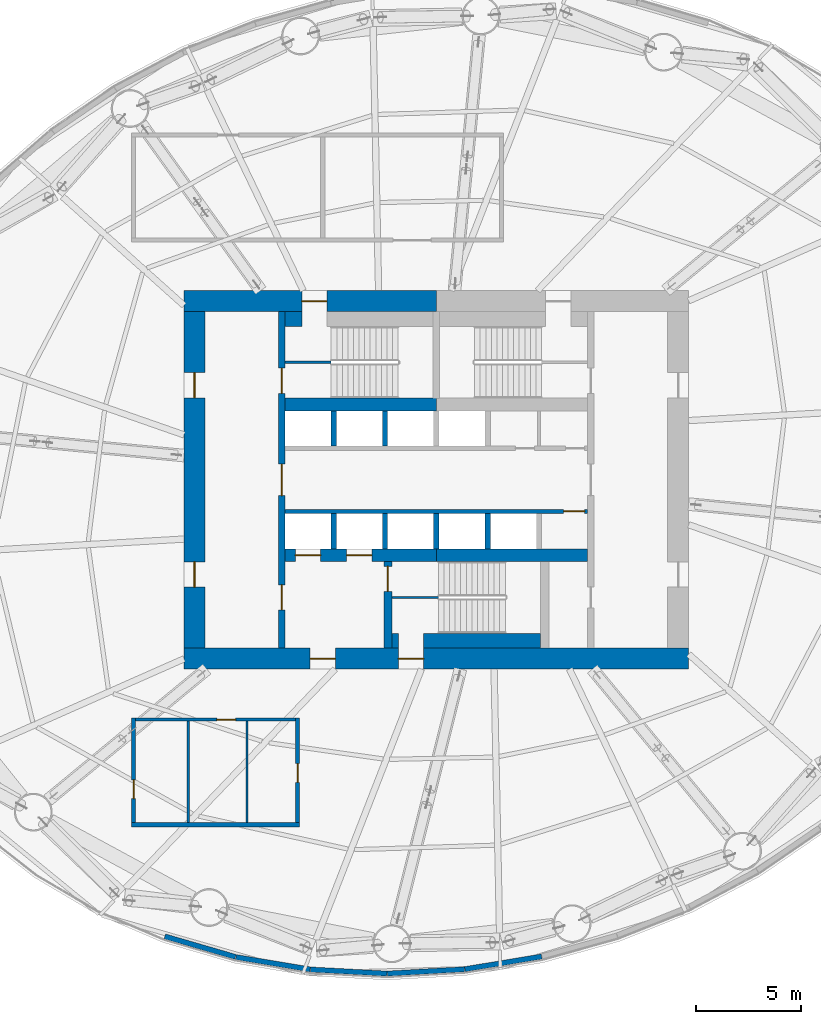
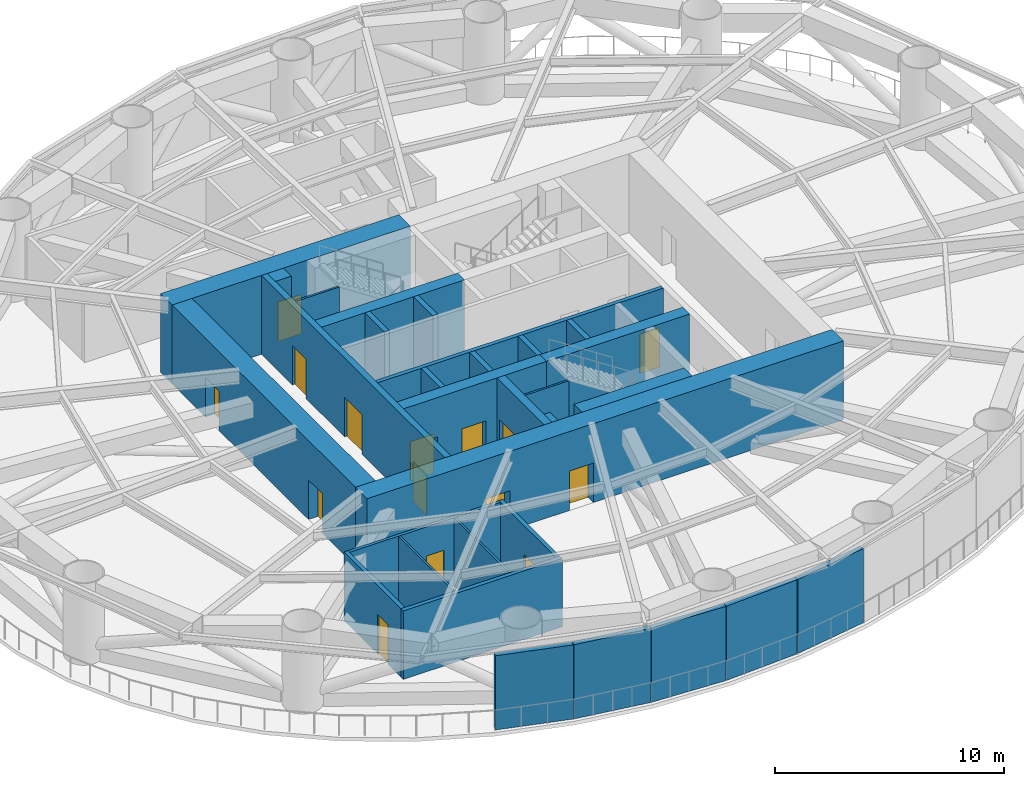
# One storey, part 5 of 15: 31 walls, 15 doors, 15 openings.
"""IFC4 building model written with IfcOpenShell, lengths in metres."""

from ifc_helpers import new_model, si_unit, direction, frame, frame_2d, origin, place, context, subcontext, project, spatial, rectangle, extrude, material, layer, layer_set, type_object, element, fill, save


model = new_model("IFC4")

# Units and contexts
model_context = context("Model", 3, precision=1e-05, world=origin(), true_north=direction((0.0, 1.0)))
body_context = subcontext(model_context, "Body", "Model", "MODEL_VIEW")
ifc_project = project(units=[si_unit("LENGTHUNIT", "METRE"), si_unit("AREAUNIT", "SQUARE_METRE"), si_unit("VOLUMEUNIT", "CUBIC_METRE"), si_unit("PLANEANGLEUNIT", "RADIAN"), si_unit("MASSUNIT", "GRAM", prefix="KILO")], contexts=[model_context])

# Site, building, storey
site_placement = place(None, origin())
site = spatial("IfcSite", under=ifc_project, at=site_placement, CompositionType="ELEMENT")
building_placement = place(site_placement, origin())
building = spatial("IfcBuilding", under=site, at=building_placement, Name="Vermilion Reach Broadcast Tower", CompositionType="ELEMENT")
storey_placement = place(building_placement, frame((0.0, 0.0, 84.10009765625)))
storey = spatial("IfcBuildingStorey", under=building, at=storey_placement, Name="L18", CompositionType="ELEMENT", Elevation=84.10009765625)

# Wall, openings, doors
ifc_material_1 = material(Name="Concrete C70", Category="concrete")
ifc_layer_1 = layer(ifc_material_1, 0.300048828125)
ifc_layer_set_1 = layer_set([ifc_layer_1], Name="Core inner wall 300 mm Concrete C70")
wall_type_1 = type_object("IfcWallType", Name="Core inner wall 300 mm Concrete C70", PredefinedType="SHEAR", material=ifc_layer_set_1)
wall_1_placement = place(storey_placement, frame((-13.35009765625, 8.0, 0.0), z_axis=(0.0, 0.0, 1.0), x_axis=(0.0, -1.0, 0.0)))
wall_1 = element("IfcWall", 1, at=wall_1_placement, inside=storey, type_object=wall_type_1, Name="L18 core wall ewW", PredefinedType="SHEAR", context=body_context, shape_type="SweptSolid", body=[
    extrude(rectangle(XDim=16.0, YDim=0.300048828125, at=frame_2d((8.0, 0.0))), origin(), (0.0, 0.0, 1.0), 4.199951171875),
])
opening_1_placement = place(wall_1_placement, frame((2.68994140625, 0.0, 0.0)))
opening_1 = element("IfcOpeningElement", 2, at=opening_1_placement, cuts=wall_1, Name="Opening D01", PredefinedType="OPENING", context=body_context, shape_type="SweptSolid", body=[
    extrude(rectangle(XDim=1.199951171875, YDim=2.10009765625, at=frame_2d((0.60009765625, 1.050048828125))), frame((0.0, 0.159912109375, 0.0), z_axis=(0.0, -1.0, 0.0), x_axis=(1.0, 0.0, 0.0)), (0.0, 0.0, 1.0), 0.320068359375),
])
opening_2_placement = place(wall_1_placement, frame((12.989990234375, 0.0, 0.0)))
opening_2 = element("IfcOpeningElement", 3, at=opening_2_placement, cuts=wall_1, Name="Opening D02", PredefinedType="OPENING", context=body_context, shape_type="SweptSolid", body=[
    extrude(rectangle(XDim=1.199951171875, YDim=2.10009765625, at=frame_2d((0.60009765625, 1.050048828125))), frame((0.0, 0.159912109375, 0.0), z_axis=(0.0, -1.0, 0.0), x_axis=(1.0, 0.0, 0.0)), (0.0, 0.0, 1.0), 0.320068359375),
])
opening_3_placement = place(wall_1_placement, frame((7.25, 0.0, 0.0)))
opening_3 = element("IfcOpeningElement", 4, at=opening_3_placement, cuts=wall_1, Name="Opening D04", PredefinedType="OPENING", context=body_context, shape_type="SweptSolid", body=[
    extrude(rectangle(XDim=1.5, YDim=2.10009765625, at=frame_2d((0.75, 1.050048828125))), frame((0.0, 0.159912109375, 0.0), z_axis=(0.0, -1.0, 0.0), x_axis=(1.0, 0.0, 0.0)), (0.0, 0.0, 1.0), 0.320068359375),
])
ifc_material_2 = material(Name="Painted steel fire door", Category="steel")
door_type_1 = type_object("IfcDoorType", Name="Firefighting lobby door 1200 x 2100", OperationType="DOUBLE_DOOR_SINGLE_SWING", PredefinedType="NOTDEFINED", material=ifc_material_2)
door_1_placement = place(opening_2_placement, origin())
door_1 = element("IfcDoor", 5, at=door_1_placement, inside=storey, type_object=door_type_1, Name="L18 ffdoor door FFW", OperationType="DOUBLE_DOOR_SINGLE_SWING", OverallHeight=2.10009765625, OverallWidth=1.199951171875, PredefinedType="NOTDEFINED", context=body_context, shape_type="SweptSolid", body=[
    extrude(rectangle(XDim=1.199951171875, YDim=2.10009765625, at=frame_2d((0.60009765625, 1.050048828125))), frame((0.0, 0.02490234375, 0.0), z_axis=(0.0, -1.0, 0.0), x_axis=(1.0, 0.0, 0.0)), (0.0, 0.0, 1.0), 0.050048828125),
])
fill(opening_2, door_1)
ifc_material_3 = material(Name="Painted steel fire door", Category="steel")
door_type_2 = type_object("IfcDoorType", Name="Lift lobby door 1500 x 2100", OperationType="DOUBLE_DOOR_SINGLE_SWING", PredefinedType="NOTDEFINED", material=ifc_material_3)
door_2_placement = place(opening_3_placement, origin())
door_2 = element("IfcDoor", 6, at=door_2_placement, inside=storey, type_object=door_type_2, Name="L18 band door BW", OperationType="DOUBLE_DOOR_SINGLE_SWING", OverallHeight=2.10009765625, OverallWidth=1.5, PredefinedType="NOTDEFINED", context=body_context, shape_type="SweptSolid", body=[
    extrude(rectangle(XDim=1.5, YDim=2.10009765625, at=frame_2d((0.75, 1.050048828125))), frame((0.0, 0.02490234375, 0.0), z_axis=(0.0, -1.0, 0.0), x_axis=(1.0, 0.0, 0.0)), (0.0, 0.0, 1.0), 0.050048828125),
])
fill(opening_3, door_2)
ifc_material_4 = material(Name="Painted steel fire door", Category="steel")
door_type_3 = type_object("IfcDoorType", Name="Stair door 1200 x 2100", OperationType="DOUBLE_DOOR_SINGLE_SWING", PredefinedType="NOTDEFINED", material=ifc_material_4)
door_3_placement = place(opening_1_placement, origin())
door_3 = element("IfcDoor", 7, at=door_3_placement, inside=storey, type_object=door_type_3, Name="L18 stair door ST1 departure", OperationType="DOUBLE_DOOR_SINGLE_SWING", OverallHeight=2.10009765625, OverallWidth=1.199951171875, PredefinedType="NOTDEFINED", context=body_context, shape_type="SweptSolid", body=[
    extrude(rectangle(XDim=1.199951171875, YDim=2.10009765625, at=frame_2d((0.60009765625, 1.050048828125))), frame((0.0, 0.02490234375, 0.0), z_axis=(0.0, -1.0, 0.0), x_axis=(1.0, 0.0, 0.0)), (0.0, 0.0, 1.0), 0.050048828125),
])
fill(opening_1, door_3)

# Wall, opening, door
ifc_material_5 = material(Name="Concrete C70", Category="concrete")
ifc_layer_2 = layer(ifc_material_5, 0.39990234375)
ifc_layer_set_2 = layer_set([ifc_layer_2], Name="Core inner wall 400 mm Concrete C70")
wall_type_2 = type_object("IfcWallType", Name="Core inner wall 400 mm Concrete C70", PredefinedType="SHEAR", material=ifc_layer_set_2)
wall_2_placement = place(storey_placement, frame((-8.300048828125, -3.8798828125, 0.0), z_axis=(0.0, 0.0, 1.0), x_axis=(0.0, -1.0, 0.0)))
wall_2 = element("IfcWall", 8, at=wall_2_placement, inside=storey, type_object=wall_type_2, Name="L18 core wall wa", PredefinedType="SHEAR", context=body_context, shape_type="SweptSolid", body=[
    extrude(rectangle(XDim=4.1201171875, YDim=0.39990234375, at=frame_2d((2.06005859375, 0.0))), origin(), (0.0, 0.0, 1.0), 4.199951171875),
])
opening_4_placement = place(wall_2_placement, frame((0.22998046875, 0.0, 0.0)))
opening_4 = element("IfcOpeningElement", 9, at=opening_4_placement, cuts=wall_2, Name="Opening D01", PredefinedType="OPENING", context=body_context, shape_type="SweptSolid", body=[
    extrude(rectangle(XDim=1.199951171875, YDim=2.10009765625, at=frame_2d((0.60009765625, 1.050048828125))), frame((0.0, 0.2099609375, 0.0), z_axis=(0.0, -1.0, 0.0), x_axis=(1.0, 0.0, 0.0)), (0.0, 0.0, 1.0), 0.419921875),
])
door_4_placement = place(opening_4_placement, origin())
door_4 = element("IfcDoor", 10, at=door_4_placement, inside=storey, type_object=door_type_3, Name="L18 stair door ST3 arrival", OperationType="DOUBLE_DOOR_SINGLE_SWING", OverallHeight=2.10009765625, OverallWidth=1.199951171875, PredefinedType="NOTDEFINED", context=body_context, shape_type="SweptSolid", body=[
    extrude(rectangle(XDim=1.199951171875, YDim=2.10009765625, at=frame_2d((0.60009765625, 1.050048828125))), frame((0.0, 0.02490234375, 0.0), z_axis=(0.0, -1.0, 0.0), x_axis=(1.0, 0.0, 0.0)), (0.0, 0.0, 1.0), 0.050048828125),
])
fill(opening_4, door_4)

# Wall
ifc_material_6 = material(Name="Concrete C70", Category="concrete")
ifc_layer_3 = layer(ifc_material_6, 0.60009765625)
ifc_layer_set_3 = layer_set([ifc_layer_3], Name="Core inner wall 600 mm Concrete C70")
wall_type_3 = type_object("IfcWallType", Name="Core inner wall 600 mm Concrete C70", PredefinedType="SHEAR", material=ifc_layer_set_3)
wall_3_placement = place(storey_placement, frame((-13.199951171875, 3.580078125, 0.0), z_axis=(0.0, 0.0, 1.0), x_axis=(1.0, 0.0, 0.0)))
element("IfcWall", 11, at=wall_3_placement, inside=storey, type_object=wall_type_3, Name="L18 core wall winW", PredefinedType="SHEAR", context=body_context, shape_type="SweptSolid", body=[
    extrude(rectangle(XDim=7.199951171875, YDim=0.60009765625, at=frame_2d((3.60009765625, 0.0))), origin(), (0.0, 0.0, 1.0), 4.199951171875),
])

# Wall, openings, doors
wall_4_placement = place(storey_placement, frame((-13.199951171875, -3.580078125, 0.0), z_axis=(0.0, 0.0, 1.0), x_axis=(1.0, 0.0, 0.0)))
wall_4 = element("IfcWall", 12, at=wall_4_placement, inside=storey, type_object=wall_type_3, Name="L18 core wall wisW", PredefinedType="SHEAR", context=body_context, shape_type="SweptSolid", body=[
    extrude(rectangle(XDim=7.199951171875, YDim=0.60009765625, at=frame_2d((3.60009765625, 0.0))), origin(), (0.0, 0.0, 1.0), 4.199951171875),
])
opening_5_placement = place(wall_4_placement, frame((0.495849609375, 0.0, 0.0)))
opening_5 = element("IfcOpeningElement", 13, at=opening_5_placement, cuts=wall_4, Name="Opening D08", PredefinedType="OPENING", context=body_context, shape_type="SweptSolid", body=[
    extrude(rectangle(XDim=1.199951171875, YDim=2.10009765625, at=frame_2d((0.60009765625, 1.050048828125))), frame((0.0, 0.31005859375, 0.0), z_axis=(0.0, -1.0, 0.0), x_axis=(1.0, 0.0, 0.0)), (0.0, 0.0, 1.0), 0.6201171875),
])
opening_6_placement = place(wall_4_placement, frame((2.9375, 0.0, 0.0)))
opening_6 = element("IfcOpeningElement", 14, at=opening_6_placement, cuts=wall_4, Name="Opening D08", PredefinedType="OPENING", context=body_context, shape_type="SweptSolid", body=[
    extrude(rectangle(XDim=1.199951171875, YDim=2.10009765625, at=frame_2d((0.60009765625, 1.050048828125))), frame((0.0, 0.31005859375, 0.0), z_axis=(0.0, -1.0, 0.0), x_axis=(1.0, 0.0, 0.0)), (0.0, 0.0, 1.0), 0.6201171875),
])
ifc_material_7 = material(Name="Stainless steel", Category="steel")
door_type_4 = type_object("IfcDoorType", Name="Firefighting lift landing door, locked in normal use 1200 x 2100", OperationType="DOUBLE_DOOR_SLIDING", PredefinedType="NOTDEFINED", material=ifc_material_7)
door_5_placement = place(opening_5_placement, origin())
door_5 = element("IfcDoor", 15, at=door_5_placement, inside=storey, type_object=door_type_4, Name="L18 firefighting lift landing door FF1 (locked in normal use)", OperationType="DOUBLE_DOOR_SLIDING", OverallHeight=2.10009765625, OverallWidth=1.199951171875, PredefinedType="NOTDEFINED", context=body_context, shape_type="SweptSolid", body=[
    extrude(rectangle(XDim=1.199951171875, YDim=2.10009765625, at=frame_2d((0.60009765625, 1.050048828125))), frame((0.0, 0.02490234375, 0.0), z_axis=(0.0, -1.0, 0.0), x_axis=(1.0, 0.0, 0.0)), (0.0, 0.0, 1.0), 0.050048828125),
])
fill(opening_5, door_5)
door_6_placement = place(opening_6_placement, origin())
door_6 = element("IfcDoor", 16, at=door_6_placement, inside=storey, type_object=door_type_4, Name="L18 firefighting lift landing door FF2 (locked in normal use)", OperationType="DOUBLE_DOOR_SLIDING", OverallHeight=2.10009765625, OverallWidth=1.199951171875, PredefinedType="NOTDEFINED", context=body_context, shape_type="SweptSolid", body=[
    extrude(rectangle(XDim=1.199951171875, YDim=2.10009765625, at=frame_2d((0.60009765625, 1.050048828125))), frame((0.0, 0.02490234375, 0.0), z_axis=(0.0, -1.0, 0.0), x_axis=(1.0, 0.0, 0.0)), (0.0, 0.0, 1.0), 0.050048828125),
])
fill(opening_6, door_6)

# Wall
wall_5_placement = place(storey_placement, frame((-6.0, -3.580078125, 0.0), z_axis=(0.0, 0.0, 1.0), x_axis=(1.0, 0.0, 0.0)))
element("IfcWall", 17, at=wall_5_placement, inside=storey, type_object=wall_type_3, Name="L18 core wall wisE", PredefinedType="SHEAR", context=body_context, shape_type="SweptSolid", body=[
    extrude(rectangle(XDim=7.199951171875, YDim=0.60009765625, at=frame_2d((3.60009765625, 0.0))), origin(), (0.0, 0.0, 1.0), 4.199951171875),
])

# Wall, opening, door
ifc_material_8 = material(Name="Concrete C70", Category="concrete")
ifc_layer_4 = layer(ifc_material_8, 1.0)
ifc_layer_set_4 = layer_set([ifc_layer_4], Name="Core outer wall 1000 mm Concrete C70")
wall_type_4 = type_object("IfcWallType", Name="Core outer wall 1000 mm Concrete C70", PredefinedType="SHEAR", material=ifc_layer_set_4)
wall_6_placement = place(storey_placement, frame((-6.0, 8.5, 0.0), z_axis=(0.0, 0.0, 1.0), x_axis=(-1.0, 0.0, 0.0)))
wall_6 = element("IfcWall", 18, at=wall_6_placement, inside=storey, type_object=wall_type_4, Name="L18 core wall onW", PredefinedType="SHEAR", context=body_context, shape_type="SweptSolid", body=[
    extrude(rectangle(XDim=12.0, YDim=1.0, at=frame_2d((6.0, 0.0))), origin(), (0.0, 0.0, 1.0), 4.199951171875),
])
opening_7_placement = place(wall_6_placement, frame((5.199951171875, 0.0, 0.0)))
opening_7 = element("IfcOpeningElement", 19, at=opening_7_placement, cuts=wall_6, Name="Opening D01", PredefinedType="OPENING", context=body_context, shape_type="SweptSolid", body=[
    extrude(rectangle(XDim=1.199951171875, YDim=2.10009765625, at=frame_2d((0.60009765625, 1.050048828125))), frame((0.0, 0.510009765625, 0.0), z_axis=(0.0, -1.0, 0.0), x_axis=(1.0, 0.0, 0.0)), (0.0, 0.0, 1.0), 1.02001953125),
])
door_7_placement = place(opening_7_placement, origin())
door_7 = element("IfcDoor", 20, at=door_7_placement, inside=storey, type_object=door_type_3, Name="L18 stair door ST1 arrival", OperationType="DOUBLE_DOOR_SINGLE_SWING", OverallHeight=2.10009765625, OverallWidth=1.199951171875, PredefinedType="NOTDEFINED", context=body_context, shape_type="SweptSolid", body=[
    extrude(rectangle(XDim=1.199951171875, YDim=2.10009765625, at=frame_2d((0.60009765625, 1.050048828125))), frame((0.0, 0.02490234375, 0.0), z_axis=(0.0, -1.0, 0.0), x_axis=(1.0, 0.0, 0.0)), (0.0, 0.0, 1.0), 0.050048828125),
])
fill(opening_7, door_7)

# Wall, openings, doors
wall_7_placement = place(storey_placement, frame((-18.0, -8.5, 0.0), z_axis=(0.0, 0.0, 1.0), x_axis=(1.0, 0.0, 0.0)))
wall_7 = element("IfcWall", 21, at=wall_7_placement, inside=storey, type_object=wall_type_4, Name="L18 core wall os", PredefinedType="SHEAR", context=body_context, shape_type="SweptSolid", body=[
    extrude(rectangle(XDim=24.0, YDim=1.0, at=frame_2d((12.0, 0.0))), origin(), (0.0, 0.0, 1.0), 4.199951171875),
])
opening_8_placement = place(wall_7_placement, frame((10.199951171875, 0.0, 0.0)))
opening_8 = element("IfcOpeningElement", 22, at=opening_8_placement, cuts=wall_7, Name="Opening D01", PredefinedType="OPENING", context=body_context, shape_type="SweptSolid", body=[
    extrude(rectangle(XDim=1.199951171875, YDim=2.10009765625, at=frame_2d((0.60009765625, 1.050048828125))), frame((0.0, 0.510009765625, 0.0), z_axis=(0.0, -1.0, 0.0), x_axis=(1.0, 0.0, 0.0)), (0.0, 0.0, 1.0), 1.02001953125),
])
opening_9_placement = place(wall_7_placement, frame((6.0, 0.0, 0.0)))
opening_9 = element("IfcOpeningElement", 23, at=opening_9_placement, cuts=wall_7, Name="Opening D02", PredefinedType="OPENING", context=body_context, shape_type="SweptSolid", body=[
    extrude(rectangle(XDim=1.199951171875, YDim=2.10009765625, at=frame_2d((0.60009765625, 1.050048828125))), frame((0.0, 0.510009765625, 0.0), z_axis=(0.0, -1.0, 0.0), x_axis=(1.0, 0.0, 0.0)), (0.0, 0.0, 1.0), 1.02001953125),
])
door_8_placement = place(opening_9_placement, origin())
door_8 = element("IfcDoor", 24, at=door_8_placement, inside=storey, type_object=door_type_1, Name="L18 ffdoor door FFL", OperationType="DOUBLE_DOOR_SINGLE_SWING", OverallHeight=2.10009765625, OverallWidth=1.199951171875, PredefinedType="NOTDEFINED", context=body_context, shape_type="SweptSolid", body=[
    extrude(rectangle(XDim=1.199951171875, YDim=2.10009765625, at=frame_2d((0.60009765625, 1.050048828125))), frame((0.0, 0.02490234375, 0.0), z_axis=(0.0, -1.0, 0.0), x_axis=(1.0, 0.0, 0.0)), (0.0, 0.0, 1.0), 0.050048828125),
])
fill(opening_9, door_8)
door_9_placement = place(opening_8_placement, origin())
door_9 = element("IfcDoor", 25, at=door_9_placement, inside=storey, type_object=door_type_3, Name="L18 stair door ST3 departure", OperationType="DOUBLE_DOOR_SINGLE_SWING", OverallHeight=2.10009765625, OverallWidth=1.199951171875, PredefinedType="NOTDEFINED", context=body_context, shape_type="SweptSolid", body=[
    extrude(rectangle(XDim=1.199951171875, YDim=2.10009765625, at=frame_2d((0.60009765625, 1.050048828125))), frame((0.0, 0.02490234375, 0.0), z_axis=(0.0, -1.0, 0.0), x_axis=(1.0, 0.0, 0.0)), (0.0, 0.0, 1.0), 0.050048828125),
])
fill(opening_8, door_9)

wall_8_placement = place(storey_placement, frame((-17.5, 8.0, 0.0), z_axis=(0.0, 0.0, 1.0), x_axis=(0.0, -1.0, 0.0)))
wall_8 = element("IfcWall", 26, at=wall_8_placement, inside=storey, type_object=wall_type_4, Name="L18 core wall ow", PredefinedType="SHEAR", context=body_context, shape_type="SweptSolid", body=[
    extrude(rectangle(XDim=16.0, YDim=1.0, at=frame_2d((8.0, 0.0))), origin(), (0.0, 0.0, 1.0), 4.199951171875),
])
opening_10_placement = place(wall_8_placement, frame((11.89990234375, 0.0, 0.0)))
opening_10 = element("IfcOpeningElement", 27, at=opening_10_placement, cuts=wall_8, Name="Opening D03", PredefinedType="OPENING", context=body_context, shape_type="SweptSolid", body=[
    extrude(rectangle(XDim=1.199951171875, YDim=2.10009765625, at=frame_2d((0.60009765625, 1.050048828125))), frame((0.0, 0.510009765625, 0.0), z_axis=(0.0, -1.0, 0.0), x_axis=(1.0, 0.0, 0.0)), (0.0, 0.0, 1.0), 1.02001953125),
])
opening_11_placement = place(wall_8_placement, frame((2.89990234375, 0.0, 0.0)))
opening_11 = element("IfcOpeningElement", 28, at=opening_11_placement, cuts=wall_8, Name="Opening D03", PredefinedType="OPENING", context=body_context, shape_type="SweptSolid", body=[
    extrude(rectangle(XDim=1.199951171875, YDim=2.10009765625, at=frame_2d((0.60009765625, 1.050048828125))), frame((0.0, 0.510009765625, 0.0), z_axis=(0.0, -1.0, 0.0), x_axis=(1.0, 0.0, 0.0)), (0.0, 0.0, 1.0), 1.02001953125),
])
ifc_material_9 = material(Name="Painted steel fire door", Category="steel")
door_type_5 = type_object("IfcDoorType", Name="Core lobby door 1200 x 2100", OperationType="DOUBLE_DOOR_SINGLE_SWING", PredefinedType="NOTDEFINED", material=ifc_material_9)
door_10_placement = place(opening_10_placement, origin())
door_10 = element("IfcDoor", 29, at=door_10_placement, inside=storey, type_object=door_type_5, Name="L18 slot door W0", OperationType="DOUBLE_DOOR_SINGLE_SWING", OverallHeight=2.10009765625, OverallWidth=1.199951171875, PredefinedType="NOTDEFINED", context=body_context, shape_type="SweptSolid", body=[
    extrude(rectangle(XDim=1.199951171875, YDim=2.10009765625, at=frame_2d((0.60009765625, 1.050048828125))), frame((0.0, 0.02490234375, 0.0), z_axis=(0.0, -1.0, 0.0), x_axis=(1.0, 0.0, 0.0)), (0.0, 0.0, 1.0), 0.050048828125),
])
fill(opening_10, door_10)
door_11_placement = place(opening_11_placement, origin())
door_11 = element("IfcDoor", 30, at=door_11_placement, inside=storey, type_object=door_type_5, Name="L18 slot door W1", OperationType="DOUBLE_DOOR_SINGLE_SWING", OverallHeight=2.10009765625, OverallWidth=1.199951171875, PredefinedType="NOTDEFINED", context=body_context, shape_type="SweptSolid", body=[
    extrude(rectangle(XDim=1.199951171875, YDim=2.10009765625, at=frame_2d((0.60009765625, 1.050048828125))), frame((0.0, 0.02490234375, 0.0), z_axis=(0.0, -1.0, 0.0), x_axis=(1.0, 0.0, 0.0)), (0.0, 0.0, 1.0), 0.050048828125),
])
fill(opening_11, door_11)

# Wall, opening, door
ifc_material_10 = material(Name="Concrete C50", Category="concrete")
ifc_layer_5 = layer(ifc_material_10, 0.199951171875)
ifc_layer_set_5 = layer_set([ifc_layer_5], Name="Core shaft wall 200 mm Concrete C50")
wall_type_5 = type_object("IfcWallType", Name="Core shaft wall 200 mm Concrete C50", PredefinedType="SHEAR", material=ifc_layer_set_5)
wall_9_placement = place(storey_placement, frame((1.199951171875, -1.5, 0.0), z_axis=(0.0, 0.0, 1.0), x_axis=(-1.0, 0.0, 0.0)))
wall_9 = element("IfcWall", 31, at=wall_9_placement, inside=storey, type_object=wall_type_5, Name="L18 core wall fs", PredefinedType="SHEAR", context=body_context, shape_type="SweptSolid", body=[
    extrude(rectangle(XDim=14.39990234375, YDim=0.199951171875, at=frame_2d((7.199951171875, 0.0))), origin(), (0.0, 0.0, 1.0), 4.199951171875),
])
opening_12_placement = place(wall_9_placement, frame((0.14990234375, 0.0, 0.0)))
opening_12 = element("IfcOpeningElement", 32, at=opening_12_placement, cuts=wall_9, Name="Opening D07", PredefinedType="OPENING", context=body_context, shape_type="SweptSolid", body=[
    extrude(rectangle(XDim=1.0, YDim=2.10009765625, at=frame_2d((0.5, 1.050048828125))), frame((0.0, 0.10986328125, 0.0), z_axis=(0.0, -1.0, 0.0), x_axis=(1.0, 0.0, 0.0)), (0.0, 0.0, 1.0), 0.219970703125),
])
ifc_material_11 = material(Name="Timber door", Category="wood")
door_type_6 = type_object("IfcDoorType", Name="Accessible WC door 1000 x 2100", OperationType="NOTDEFINED", PredefinedType="NOTDEFINED", material=ifc_material_11)
door_12_placement = place(opening_12_placement, origin())
door_12 = element("IfcDoor", 33, at=door_12_placement, inside=storey, type_object=door_type_6, Name="L18 door Accessible WC", OperationType="SINGLE_SWING_LEFT", OverallHeight=2.10009765625, OverallWidth=1.0, PredefinedType="NOTDEFINED", context=body_context, shape_type="SweptSolid", body=[
    extrude(rectangle(XDim=1.0, YDim=2.10009765625, at=frame_2d((0.5, 1.050048828125))), frame((0.0, 0.02490234375, 0.0), z_axis=(0.0, -1.0, 0.0), x_axis=(1.0, 0.0, 0.0)), (0.0, 0.0, 1.0), 0.050048828125),
])
fill(opening_12, door_12)

# Walls
ifc_material_12 = material(Name="Concrete C50", Category="concrete")
ifc_layer_6 = layer(ifc_material_12, 0.25)
ifc_layer_set_6 = layer_set([ifc_layer_6], Name="Core shaft wall 250 mm Concrete C50")
wall_type_6 = type_object("IfcWallType", Name="Core shaft wall 250 mm Concrete C50", PredefinedType="SHEAR", material=ifc_layer_set_6)
for number, where, z_axis, x_axis, name in (
    (34, (-10.88330078125, 1.60009765625, 0.0), (0.0, 0.0, 1.0), (0.0, 1.0, 0.0), "L18 core wall psN0"),
    (35, (-8.441650390625, 1.60009765625, 0.0), (0.0, 0.0, 1.0), (0.0, 1.0, 0.0), "L18 core wall psN1"),
    (36, (-10.88330078125, -1.60009765625, 0.0), (0.0, 0.0, 1.0), (0.0, -1.0, 0.0), "L18 core wall psS0"),
    (37, (-8.441650390625, -1.60009765625, 0.0), (0.0, 0.0, 1.0), (0.0, -1.0, 0.0), "L18 core wall psS1"),
    (38, (-6.0, -1.60009765625, 0.0), (0.0, 0.0, 1.0), (0.0, -1.0, 0.0), "L18 core wall psS2"),
    (39, (-3.558349609375, -1.60009765625, 0.0), (0.0, 0.0, 1.0), (0.0, -1.0, 0.0), "L18 core wall psS3"),
):
    element("IfcWall", number, at=place(storey_placement, frame(where, z_axis=z_axis, x_axis=x_axis)), inside=storey, type_object=wall_type_6, Name=name, PredefinedType="SHEAR", context=body_context, shape_type="SweptSolid", body=[
        extrude(rectangle(XDim=1.679931640625, YDim=0.25, at=frame_2d((0.83984375, 0.0))), origin(), (0.0, 0.0, 1.0), 4.199951171875),
    ])
ifc_material_13 = material(Name="Concrete C70", Category="concrete")
ifc_layer_7 = layer(ifc_material_13, 0.10009765625)
ifc_layer_set_7 = layer_set([ifc_layer_7], Name="Core stair wall 100 mm Concrete C70")
wall_type_7 = type_object("IfcWallType", Name="Core stair wall 100 mm Concrete C70", PredefinedType="SHEAR", material=ifc_layer_set_7)
wall_10_placement = place(storey_placement, frame((-13.199951171875, 5.590087890625, 0.0), z_axis=(0.0, 0.0, 1.0), x_axis=(1.0, 0.0, 0.0)))
element("IfcWall", 40, at=wall_10_placement, inside=storey, type_object=wall_type_7, Name="L18 core wall dv1", PredefinedType="SHEAR", context=body_context, shape_type="SweptSolid", body=[
    extrude(rectangle(XDim=2.199951171875, YDim=0.10009765625, at=frame_2d((1.10009765625, 0.0))), origin(), (0.0, 0.0, 1.0), 4.199951171875),
])
wall_11_placement = place(storey_placement, frame((-8.10009765625, -5.590087890625, 0.0), z_axis=(0.0, 0.0, 1.0), x_axis=(1.0, 0.0, 0.0)))
element("IfcWall", 41, at=wall_11_placement, inside=storey, type_object=wall_type_7, Name="L18 core wall dv3", PredefinedType="SHEAR", context=body_context, shape_type="SweptSolid", body=[
    extrude(rectangle(XDim=2.2001953125, YDim=0.10009765625, at=frame_2d((1.10009765625, 0.0))), origin(), (0.0, 0.0, 1.0), 4.199951171875),
])
ifc_material_14 = material(Name="Concrete C70", Category="concrete")
ifc_layer_8 = layer(ifc_material_14, 0.699951171875)
ifc_layer_set_8 = layer_set([ifc_layer_8], Name="Core stair wall 700 mm Concrete C70")
wall_type_8 = type_object("IfcWallType", Name="Core stair wall 700 mm Concrete C70", PredefinedType="SHEAR", material=ifc_layer_set_8)
wall_12_placement = place(storey_placement, frame((-13.199951171875, 7.64990234375, 0.0), z_axis=(0.0, 0.0, 1.0), x_axis=(1.0, 0.0, 0.0)))
element("IfcWall", 42, at=wall_12_placement, inside=storey, type_object=wall_type_8, Name="L18 core wall l1a", PredefinedType="SHEAR", context=body_context, shape_type="SweptSolid", body=[
    extrude(rectangle(XDim=0.800048828125, YDim=0.699951171875, at=frame_2d((0.39990234375, 0.0))), origin(), (0.0, 0.0, 1.0), 4.199951171875),
])
wall_13_placement = place(storey_placement, frame((-8.10009765625, -7.64990234375, 0.0), z_axis=(0.0, 0.0, 1.0), x_axis=(1.0, 0.0, 0.0)))
element("IfcWall", 43, at=wall_13_placement, inside=storey, type_object=wall_type_8, Name="L18 core wall l3a", PredefinedType="SHEAR", context=body_context, shape_type="SweptSolid", body=[
    extrude(rectangle(XDim=0.300048828125, YDim=0.699951171875, at=frame_2d((0.14990234375, 0.0))), origin(), (0.0, 0.0, 1.0), 4.199951171875),
])
wall_14_placement = place(storey_placement, frame((-6.60009765625, -7.64990234375, 0.0), z_axis=(0.0, 0.0, 1.0), x_axis=(1.0, 0.0, 0.0)))
element("IfcWall", 44, at=wall_14_placement, inside=storey, type_object=wall_type_8, Name="L18 core wall l3b", PredefinedType="SHEAR", context=body_context, shape_type="SweptSolid", body=[
    extrude(rectangle(XDim=5.550048828125, YDim=0.699951171875, at=frame_2d((2.77490234375, 0.0))), origin(), (0.0, 0.0, 1.0), 4.199951171875),
])

# Wall, opening, door
ifc_material_15 = material(Name="Gypsum board partition")
ifc_layer_9 = layer(ifc_material_15, 0.14990234375)
ifc_layer_set_9 = layer_set([ifc_layer_9], Name="Corridor wall 150")
wall_type_9 = type_object("IfcWallType", Name="Corridor wall 150", PredefinedType="PARTITIONING", material=ifc_layer_set_9)
wall_15_placement = place(storey_placement, frame((-20.300048828125, -11.39990234375, 0.0), z_axis=(0.0, 0.0, 1.0), x_axis=(1.0, 0.0, 0.0)))
wall_15 = element("IfcWall", 45, at=wall_15_placement, inside=storey, type_object=wall_type_9, Name="sp.wall.L18.001", PredefinedType="PARTITIONING", context=body_context, shape_type="SweptSolid", body=[
    extrude(rectangle(XDim=7.600341796875, YDim=0.14990234375, at=frame_2d((3.80029296875, 0.0))), origin(), (0.0, 0.0, 1.0), 3.64990234375),
])
opening_13_placement = place(wall_15_placement, frame((3.857177734375, 0.0, 0.0)))
opening_13 = element("IfcOpeningElement", 46, at=opening_13_placement, cuts=wall_15, Name="Opening D51", PredefinedType="OPENING", context=body_context, shape_type="SweptSolid", body=[
    extrude(rectangle(XDim=0.89990234375, YDim=2.10009765625, at=frame_2d((0.449951171875, 1.050048828125))), frame((0.0, 0.0849609375, 0.0), z_axis=(0.0, -1.0, 0.0), x_axis=(1.0, 0.0, 0.0)), (0.0, 0.0, 1.0), 0.169921875),
])
ifc_material_16 = material(Name="Timber and steel door set", Category="steel")
door_type_7 = type_object("IfcDoorType", Name="Door 900x2100 WC", OperationType="NOTDEFINED", PredefinedType="DOOR", material=ifc_material_16)
door_13_placement = place(opening_13_placement, origin())
door_13 = element("IfcDoor", 47, at=door_13_placement, inside=storey, type_object=door_type_7, Name="sp.door.L18.003", OperationType="SINGLE_SWING_LEFT", OverallHeight=2.10009765625, OverallWidth=0.89990234375, PredefinedType="DOOR", context=body_context, shape_type="SweptSolid", body=[
    extrude(rectangle(XDim=0.89990234375, YDim=2.10009765625, at=frame_2d((0.449951171875, 1.050048828125))), frame((0.0, 0.02490234375, 0.0), z_axis=(0.0, -1.0, 0.0), x_axis=(1.0, 0.0, 0.0)), (0.0, 0.0, 1.0), 0.050048828125),
])
fill(opening_13, door_13)

# Walls
ifc_material_17 = material(Name="Anodised aluminium louvre cladding", Category="aluminium")
ifc_layer_10 = layer(ifc_material_17, 0.25)
ifc_layer_set_10 = layer_set([ifc_layer_10], Name="Plant louvre wall 250")
wall_type_10 = type_object("IfcWallType", Name="Plant louvre wall 250", PredefinedType="SOLIDWALL", material=ifc_layer_set_10)
wall_16_placement = place(storey_placement, frame((-18.915283203125, -21.715087890625, 0.0), z_axis=(0.0, 0.0, 1.0), x_axis=(0.960188833613, -0.279351756401, 0.0)))
element("IfcWall", 48, at=wall_16_placement, inside=storey, type_object=wall_type_10, Name="Refuge louvre wall L18 31", PredefinedType="SOLIDWALL", context=body_context, shape_type="SweptSolid", body=[
    extrude(rectangle(XDim=3.500244140625, YDim=0.25, at=frame_2d((1.75, 0.0))), origin(), (0.0, 0.0, 1.0), 3.949951171875),
])
wall_17_placement = place(storey_placement, frame((-15.532470703125, -22.697998046875, 0.0), z_axis=(0.0, 0.0, 1.0), x_axis=(0.986227312358, -0.165395551207, 0.0)))
element("IfcWall", 49, at=wall_17_placement, inside=storey, type_object=wall_type_10, Name="Refuge louvre wall L18 32", PredefinedType="SOLIDWALL", context=body_context, shape_type="SweptSolid", body=[
    extrude(rectangle(XDim=3.5751953125, YDim=0.25, at=frame_2d((1.78759765625, 0.0))), origin(), (0.0, 0.0, 1.0), 3.949951171875),
])
wall_18_placement = place(storey_placement, frame((-11.98486328125, -23.291748046875, 0.0), z_axis=(0.0, 0.0, 1.0), x_axis=(0.998569925552, -0.053461236262, 0.0)))
element("IfcWall", 50, at=wall_18_placement, inside=storey, type_object=wall_type_10, Name="Refuge louvre wall L18 33", PredefinedType="SOLIDWALL", context=body_context, shape_type="SweptSolid", body=[
    extrude(rectangle(XDim=3.635009765625, YDim=0.25, at=frame_2d((1.8173828125, 0.0))), origin(), (0.0, 0.0, 1.0), 3.949951171875),
])
wall_19_placement = place(storey_placement, frame((-8.333251953125, -23.486083984375, 0.0), z_axis=(0.0, 0.0, 1.0), x_axis=(0.998420665682, 0.056179839253, 0.0)))
element("IfcWall", 51, at=wall_19_placement, inside=storey, type_object=wall_type_10, Name="Refuge louvre wall L18 34", PredefinedType="SOLIDWALL", context=body_context, shape_type="SweptSolid", body=[
    extrude(rectangle(XDim=3.676513671875, YDim=0.25, at=frame_2d((1.83837890625, 0.0))), origin(), (0.0, 0.0, 1.0), 3.949951171875),
])
wall_20_placement = place(storey_placement, frame((-4.64111328125, -23.277099609375, 0.0), z_axis=(0.0, 0.0, 1.0), x_axis=(0.986548722152, 0.163467485515, 0.0)))
element("IfcWall", 52, at=wall_20_placement, inside=storey, type_object=wall_type_10, Name="Refuge louvre wall L18 35", PredefinedType="SOLIDWALL", context=body_context, shape_type="SweptSolid", body=[
    extrude(rectangle(XDim=3.697998046875, YDim=0.25, at=frame_2d((1.84912109375, 0.0))), origin(), (0.0, 0.0, 1.0), 3.949951171875),
])
ifc_material_18 = material(Name="Gypsum board shaft wall")
ifc_layer_11 = layer(ifc_material_18, 0.199951171875)
ifc_layer_set_11 = layer_set([ifc_layer_11], Name="Refuge enclosure wall 200")
wall_type_11 = type_object("IfcWallType", Name="Refuge enclosure wall 200", PredefinedType="PARTITIONING", material=ifc_layer_set_11)
wall_21_placement = place(storey_placement, frame((-20.5, -16.39990234375, 0.0), z_axis=(0.0, 0.0, 1.0), x_axis=(1.0, 0.0, 0.0)))
element("IfcWall", 53, at=wall_21_placement, inside=storey, type_object=wall_type_11, Name="sp.wall.L18.007", PredefinedType="PARTITIONING", context=body_context, shape_type="SweptSolid", body=[
    extrude(rectangle(XDim=8.0, YDim=0.199951171875, at=frame_2d((4.0, 0.0))), origin(), (0.0, 0.0, 1.0), 3.64990234375),
])

# Wall, opening, door
wall_22_placement = place(storey_placement, frame((-20.39990234375, -16.300048828125, 0.0), z_axis=(0.0, 0.0, 1.0), x_axis=(0.0, 1.0, 0.0)))
wall_22 = element("IfcWall", 54, at=wall_22_placement, inside=storey, type_object=wall_type_11, Name="sp.wall.L18.008", PredefinedType="PARTITIONING", context=body_context, shape_type="SweptSolid", body=[
    extrude(rectangle(XDim=4.97509765625, YDim=0.199951171875, at=frame_2d((2.487548828125, 0.0))), origin(), (0.0, 0.0, 1.0), 3.64990234375),
])
opening_14_placement = place(wall_22_placement, frame((1.13330078125, 0.0, 0.0)))
opening_14 = element("IfcOpeningElement", 55, at=opening_14_placement, cuts=wall_22, Name="Opening D51", PredefinedType="OPENING", context=body_context, shape_type="SweptSolid", body=[
    extrude(rectangle(XDim=0.89990234375, YDim=2.10009765625, at=frame_2d((0.449951171875, 1.050048828125))), frame((0.0, 0.10986328125, 0.0), z_axis=(0.0, -1.0, 0.0), x_axis=(1.0, 0.0, 0.0)), (0.0, 0.0, 1.0), 0.219970703125),
])
door_14_placement = place(opening_14_placement, origin())
door_14 = element("IfcDoor", 56, at=door_14_placement, inside=storey, type_object=door_type_7, Name="sp.door.L18.002", OperationType="SINGLE_SWING_RIGHT", OverallHeight=2.10009765625, OverallWidth=0.89990234375, PredefinedType="DOOR", context=body_context, shape_type="SweptSolid", body=[
    extrude(rectangle(XDim=0.89990234375, YDim=2.10009765625, at=frame_2d((0.449951171875, 1.050048828125))), frame((0.0, 0.02490234375, 0.0), z_axis=(0.0, -1.0, 0.0), x_axis=(1.0, 0.0, 0.0)), (0.0, 0.0, 1.0), 0.050048828125),
])
fill(opening_14, door_14)

wall_23_placement = place(storey_placement, frame((-12.60009765625, -11.324951171875, 0.0), z_axis=(0.0, 0.0, 1.0), x_axis=(0.0, -1.0, 0.0)))
wall_23 = element("IfcWall", 57, at=wall_23_placement, inside=storey, type_object=wall_type_11, Name="sp.wall.L18.010", PredefinedType="PARTITIONING", context=body_context, shape_type="SweptSolid", body=[
    extrude(rectangle(XDim=4.97509765625, YDim=0.199951171875, at=frame_2d((2.487548828125, 0.0))), origin(), (0.0, 0.0, 1.0), 3.64990234375),
])
opening_15_placement = place(wall_23_placement, frame((2.166748046875, 0.0, 0.0)))
opening_15 = element("IfcOpeningElement", 58, at=opening_15_placement, cuts=wall_23, Name="Opening D51", PredefinedType="OPENING", context=body_context, shape_type="SweptSolid", body=[
    extrude(rectangle(XDim=0.89990234375, YDim=2.10009765625, at=frame_2d((0.449951171875, 1.050048828125))), frame((0.0, 0.10986328125, 0.0), z_axis=(0.0, -1.0, 0.0), x_axis=(1.0, 0.0, 0.0)), (0.0, 0.0, 1.0), 0.219970703125),
])
door_15_placement = place(opening_15_placement, origin())
door_15 = element("IfcDoor", 59, at=door_15_placement, inside=storey, type_object=door_type_7, Name="sp.door.L18.004", OperationType="SINGLE_SWING_RIGHT", OverallHeight=2.10009765625, OverallWidth=0.89990234375, PredefinedType="DOOR", context=body_context, shape_type="SweptSolid", body=[
    extrude(rectangle(XDim=0.89990234375, YDim=2.10009765625, at=frame_2d((0.449951171875, 1.050048828125))), frame((0.0, 0.02490234375, 0.0), z_axis=(0.0, -1.0, 0.0), x_axis=(1.0, 0.0, 0.0)), (0.0, 0.0, 1.0), 0.050048828125),
])
fill(opening_15, door_15)

# Walls
ifc_material_19 = material(Name="Gypsum board partition")
ifc_layer_12 = layer(ifc_material_19, 0.10009765625)
ifc_layer_set_12 = layer_set([ifc_layer_12], Name="WC partition 100")
wall_type_12 = type_object("IfcWallType", Name="WC partition 100", PredefinedType="PARTITIONING", material=ifc_layer_set_12)
for number, where, z_axis, x_axis, name in (
    (60, (-17.800048828125, -16.300048828125, 0.0), (0.0, 0.0, 1.0), (0.0, 1.0, 0.0), "sp.wall.L18.006"),
    (61, (-15.0, -16.300048828125, 0.0), (0.0, 0.0, 1.0), (0.0, 1.0, 0.0), "sp.wall.L18.009"),
):
    element("IfcWall", number, at=place(storey_placement, frame(where, z_axis=z_axis, x_axis=x_axis)), inside=storey, type_object=wall_type_12, Name=name, PredefinedType="PARTITIONING", context=body_context, shape_type="SweptSolid", body=[
        extrude(rectangle(XDim=4.824951171875, YDim=0.10009765625, at=frame_2d((2.41259765625, 0.0))), origin(), (0.0, 0.0, 1.0), 3.64990234375),
    ])

save(model, "model.ifc")
